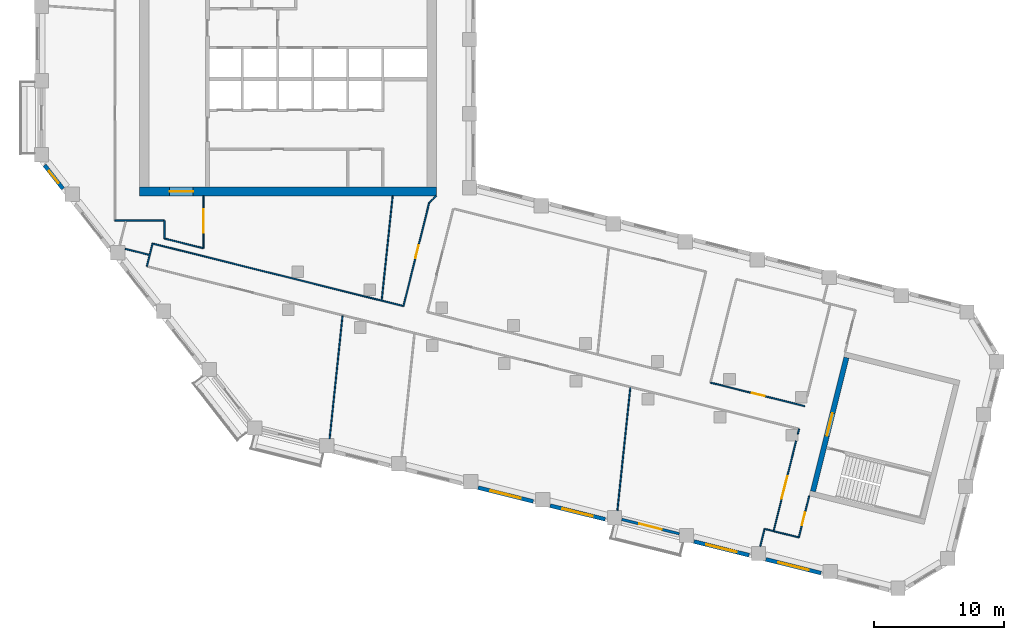
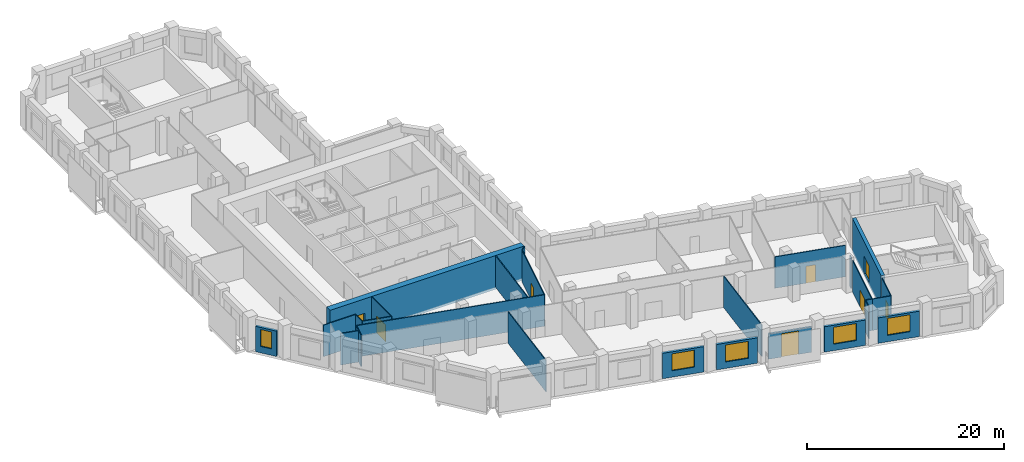
# One storey, part 3 of 10: 27 walls, 8 doors, 5 windows, 13 openings.
"""IFC4 building model written with IfcOpenShell, lengths in metres."""

from ifc_helpers import new_model, si_unit, direction, frame, frame_2d, origin, place, context, subcontext, project, spatial, rectangle, extrude, material, layer, layer_set, type_object, element, fill, save


model = new_model("IFC4")

# Units and contexts
model_context = context("Model", 3, precision=1e-05, world=origin(), true_north=direction((0.0, 1.0)))
body_context = subcontext(model_context, "Body", "Model", "MODEL_VIEW")
ifc_project = project(units=[si_unit("LENGTHUNIT", "METRE"), si_unit("AREAUNIT", "SQUARE_METRE"), si_unit("VOLUMEUNIT", "CUBIC_METRE"), si_unit("PLANEANGLEUNIT", "RADIAN"), si_unit("MASSUNIT", "GRAM", prefix="KILO")], contexts=[model_context])

# Site, building, storey
site_placement = place(None, origin())
site = spatial("IfcSite", under=ifc_project, at=site_placement, CompositionType="ELEMENT")
building_placement = place(site_placement, origin())
building = spatial("IfcBuilding", under=site, at=building_placement, Name="Meshkara Civic Tower", CompositionType="ELEMENT")
storey_placement = place(building_placement, frame((0.0, 0.0, 234.0)))
storey = spatial("IfcBuildingStorey", under=building, at=storey_placement, Name="L53", CompositionType="ELEMENT", Elevation=234.0)

# Wall, opening, door
ifc_material_1 = material(Name="Concrete C60", Category="concrete")
ifc_layer_1 = layer(ifc_material_1, 0.699951171875)
ifc_layer_set_1 = layer_set([ifc_layer_1], Name="Core ring wall 700 C60")
wall_type_1 = type_object("IfcWallType", Name="Core ring wall 700 C60", PredefinedType="SHEAR", material=ifc_layer_set_1)
wall_1_placement = place(storey_placement, frame((8.0, 14.449951171875, -0.300048828125), z_axis=(0.0, 0.0, 1.0), x_axis=(1.0, 0.0, 0.0)))
wall_1 = element("IfcWall", 1, at=wall_1_placement, inside=storey, type_object=wall_type_1, Name="L53-C001", PredefinedType="SHEAR", context=body_context, shape_type="SweptSolid", body=[
    extrude(rectangle(XDim=22.800048828125, YDim=0.699951171875, at=frame_2d((11.39990234375, 0.0))), origin(), (0.0, 0.0, 1.0), 4.199951171875),
])
opening_1_placement = place(wall_1_placement, frame((2.300048828125, 0.0, 0.300048828125)))
opening_1 = element("IfcOpeningElement", 2, at=opening_1_placement, cuts=wall_1, Name="Opening L53-K021", PredefinedType="OPENING", context=body_context, shape_type="SweptSolid", body=[
    extrude(rectangle(XDim=1.800048828125, YDim=2.10009765625, at=frame_2d((0.89990234375, 1.050048828125))), frame((0.0, 0.35986328125, 0.0), z_axis=(0.0, -1.0, 0.0), x_axis=(1.0, 0.0, 0.0)), (0.0, 0.0, 1.0), 0.719970703125),
])
ifc_material_2 = material(Name="Fire-rated door leaf in steel frame", Category="steel")
door_type_1 = type_object("IfcDoorType", Name="Core double door 1800 EI 60", OperationType="DOUBLE_DOOR_SINGLE_SWING", PredefinedType="DOOR", material=ifc_material_2)
door_1_placement = place(opening_1_placement, origin())
door_1 = element("IfcDoor", 3, at=door_1_placement, inside=storey, type_object=door_type_1, Name="L53-K021", OperationType="DOUBLE_DOOR_SINGLE_SWING", OverallHeight=2.10009765625, OverallWidth=1.800048828125, PredefinedType="DOOR", context=body_context, shape_type="SweptSolid", body=[
    extrude(rectangle(XDim=1.800048828125, YDim=2.10009765625, at=frame_2d((0.89990234375, 1.050048828125))), frame((0.0, 0.02490234375, 0.0), z_axis=(0.0, -1.0, 0.0), x_axis=(1.0, 0.0, 0.0)), (0.0, 0.0, 1.0), 0.050048828125),
])
fill(opening_1, door_1)

# Walls
ifc_material_3 = material(Name="Corridor wall 100")
ifc_layer_2 = layer(ifc_material_3, 0.10009765625)
ifc_layer_set_2 = layer_set([ifc_layer_2], Name="Corridor wall 100")
wall_type_2 = type_object("IfcWallType", Name="Corridor wall 100", PredefinedType="PARTITIONING", material=ifc_layer_set_2)
wall_2_placement = place(storey_placement, frame((6.10009765625, 12.199951171875, 0.0), z_axis=(0.0, 0.0, 1.0), x_axis=(1.0, 0.0, 0.0)))
element("IfcWall", 4, at=wall_2_placement, inside=storey, type_object=wall_type_2, Name="L53-W004", PredefinedType="PARTITIONING", context=body_context, shape_type="SweptSolid", body=[
    extrude(rectangle(XDim=3.7998046875, YDim=0.10009765625, at=frame_2d((1.89990234375, 0.0))), origin(), (0.0, 0.0, 1.0), 3.89990234375),
])
wall_3_placement = place(storey_placement, frame((8.988037109375, 10.43994140625, 0.0), z_axis=(0.0, 0.0, 1.0), x_axis=(0.970301223092, -0.241899848006, 0.0)))
element("IfcWall", 5, at=wall_3_placement, inside=storey, type_object=wall_type_2, Name="L53-W007", PredefinedType="PARTITIONING", context=body_context, shape_type="SweptSolid", body=[
    extrude(rectangle(XDim=19.87939453125, YDim=0.10009765625, at=frame_2d((9.939697265625, 0.0))), origin(), (0.0, 0.0, 1.0), 3.89990234375),
])
wall_4_placement = place(storey_placement, frame((8.988037109375, 10.43994140625, 0.0), z_axis=(0.0, 0.0, 1.0), x_axis=(-0.242154485745, -0.970237705428, 0.0)))
element("IfcWall", 6, at=wall_4_placement, inside=storey, type_object=wall_type_2, Name="L53-W008", PredefinedType="PARTITIONING", context=body_context, shape_type="SweptSolid", body=[
    extrude(rectangle(XDim=1.80859375, YDim=0.10009765625, at=frame_2d((0.904296875, 0.0))), origin(), (0.0, 0.0, 1.0), 3.89990234375),
])
wall_5_placement = place(storey_placement, frame((9.89990234375, 10.825927734375, 0.0), z_axis=(0.0, 0.0, 1.0), x_axis=(0.970290953223, -0.241941038466, 0.0)))
element("IfcWall", 7, at=wall_5_placement, inside=storey, type_object=wall_type_2, Name="L53-W009", PredefinedType="PARTITIONING", context=body_context, shape_type="SweptSolid", body=[
    extrude(rectangle(XDim=3.091796875, YDim=0.10009765625, at=frame_2d((1.5458984375, 0.0))), origin(), (0.0, 0.0, 1.0), 3.89990234375),
])
wall_6_placement = place(storey_placement, frame((9.89990234375, 12.199951171875, 0.0), z_axis=(0.0, 0.0, 1.0), x_axis=(0.0, -1.0, 0.0)))
element("IfcWall", 8, at=wall_6_placement, inside=storey, type_object=wall_type_2, Name="L53-W010", PredefinedType="PARTITIONING", context=body_context, shape_type="SweptSolid", body=[
    extrude(rectangle(XDim=1.3740234375, YDim=0.10009765625, at=frame_2d((0.68701171875, 0.0))), origin(), (0.0, 0.0, 1.0), 3.89990234375),
])

# Wall, opening, door
wall_7_placement = place(storey_placement, frame((12.89990234375, 10.077880859375, 0.0), z_axis=(0.0, 0.0, 1.0), x_axis=(0.0, 1.0, 0.0)))
wall_7 = element("IfcWall", 9, at=wall_7_placement, inside=storey, type_object=wall_type_2, Name="L53-W014", PredefinedType="PARTITIONING", context=body_context, shape_type="SweptSolid", body=[
    extrude(rectangle(XDim=4.022216796875, YDim=0.10009765625, at=frame_2d((2.01123046875, 0.0))), origin(), (0.0, 0.0, 1.0), 3.89990234375),
])
opening_2_placement = place(wall_7_placement, frame((1.179931640625, 0.0, 0.0)))
opening_2 = element("IfcOpeningElement", 10, at=opening_2_placement, cuts=wall_7, Name="Opening L53-D012", PredefinedType="OPENING", context=body_context, shape_type="SweptSolid", body=[
    extrude(rectangle(XDim=1.800048828125, YDim=2.10009765625, at=frame_2d((0.89990234375, 1.050048828125))), frame((0.0, 0.06005859375, 0.0), z_axis=(0.0, -1.0, 0.0), x_axis=(1.0, 0.0, 0.0)), (0.0, 0.0, 1.0), 0.1201171875),
])
ifc_material_4 = material(Name="Door pair 1800 x 2100")
door_type_2 = type_object("IfcDoorType", Name="Door pair 1800 x 2100", OperationType="SINGLE_SWING_LEFT", PredefinedType="DOOR", material=ifc_material_4)
door_2_placement = place(opening_2_placement, origin())
door_2 = element("IfcDoor", 11, at=door_2_placement, inside=storey, type_object=door_type_2, Name="L53-D012", OperationType="DOUBLE_DOOR_SINGLE_SWING", OverallHeight=2.10009765625, OverallWidth=1.800048828125, PredefinedType="DOOR", context=body_context, shape_type="SweptSolid", body=[
    extrude(rectangle(XDim=1.800048828125, YDim=2.10009765625, at=frame_2d((0.89990234375, 1.050048828125))), frame((0.0, 0.02490234375, 0.0), z_axis=(0.0, -1.0, 0.0), x_axis=(1.0, 0.0, 0.0)), (0.0, 0.0, 1.0), 0.050048828125),
])
fill(opening_2, door_2)

wall_8_placement = place(storey_placement, frame((30.259033203125, 13.5830078125, 0.0), z_axis=(0.0, 0.0, 1.0), x_axis=(-0.241841612879, -0.970315739479, 0.0)))
wall_8 = element("IfcWall", 12, at=wall_8_placement, inside=storey, type_object=wall_type_2, Name="L53-W023", PredefinedType="PARTITIONING", context=body_context, shape_type="SweptSolid", body=[
    extrude(rectangle(XDim=8.195068359375, YDim=0.10009765625, at=frame_2d((4.09765625, 0.0))), origin(), (0.0, 0.0, 1.0), 3.89990234375),
])
opening_3_placement = place(wall_8_placement, frame((3.3798828125, 0.0, 0.0)))
opening_3 = element("IfcOpeningElement", 13, at=opening_3_placement, cuts=wall_8, Name="Opening L53-D009", PredefinedType="OPENING", context=body_context, shape_type="SweptSolid", body=[
    extrude(rectangle(XDim=1.0, YDim=2.10009765625, at=frame_2d((0.5, 1.050048828125))), frame((0.0, 0.06005859375, 0.0), z_axis=(0.0, -1.0, 0.0), x_axis=(1.0, 0.0, 0.0)), (0.0, 0.0, 1.0), 0.1201171875),
])
ifc_material_5 = material(Name="Door 1000 x 2100")
door_type_3 = type_object("IfcDoorType", Name="Door 1000 x 2100", OperationType="SINGLE_SWING_LEFT", PredefinedType="DOOR", material=ifc_material_5)
door_3_placement = place(opening_3_placement, origin())
door_3 = element("IfcDoor", 14, at=door_3_placement, inside=storey, type_object=door_type_3, Name="L53-D009", OperationType="SINGLE_SWING_RIGHT", OverallHeight=2.10009765625, OverallWidth=1.0, PredefinedType="DOOR", context=body_context, shape_type="SweptSolid", body=[
    extrude(rectangle(XDim=1.0, YDim=2.10009765625, at=frame_2d((0.5, 1.050048828125))), frame((0.0, 0.02490234375, 0.0), z_axis=(0.0, -1.0, 0.0), x_axis=(1.0, 0.0, 0.0)), (0.0, 0.0, 1.0), 0.050048828125),
])
fill(opening_3, door_3)

# Walls
wall_9_placement = place(storey_placement, frame((30.800048828125, 14.10009765625, 0.0), z_axis=(0.0, 0.0, 1.0), x_axis=(-0.722911025189, -0.690941133281, 0.0)))
element("IfcWall", 15, at=wall_9_placement, inside=storey, type_object=wall_type_2, Name="L53-W024", PredefinedType="PARTITIONING", context=body_context, shape_type="SweptSolid", body=[
    extrude(rectangle(XDim=0.748291015625, YDim=0.10009765625, at=frame_2d((0.3740234375, 0.0))), origin(), (0.0, 0.0, 1.0), 3.89990234375),
])
wall_10_placement = place(storey_placement, frame((56.73193359375, -11.6708984375, 0.0), z_axis=(0.0, 0.0, 1.0), x_axis=(0.970250131019, -0.242104694829, 0.0)))
element("IfcWall", 16, at=wall_10_placement, inside=storey, type_object=wall_type_2, Name="L53-W030", PredefinedType="PARTITIONING", context=body_context, shape_type="SweptSolid", body=[
    extrude(rectangle(XDim=1.999755859375, YDim=0.10009765625, at=frame_2d((1.0, 0.0))), origin(), (0.0, 0.0, 1.0), 3.89990234375),
])

# Wall, opening, door
wall_11_placement = place(storey_placement, frame((58.458984375, -4.741943359375, 0.0), z_axis=(0.0, 0.0, 1.0), x_axis=(-0.24185178818, -0.970313203329, 0.0)))
wall_11 = element("IfcWall", 17, at=wall_11_placement, inside=storey, type_object=wall_type_2, Name="L53-W031", PredefinedType="PARTITIONING", context=body_context, shape_type="SweptSolid", body=[
    extrude(rectangle(XDim=7.140869140625, YDim=0.10009765625, at=frame_2d((3.5703125, 0.0))), origin(), (0.0, 0.0, 1.0), 3.89990234375),
])
opening_4_placement = place(wall_11_placement, frame((2.780029296875, 0.0, 0.0)))
opening_4 = element("IfcOpeningElement", 18, at=opening_4_placement, cuts=wall_11, Name="Opening L53-D001", PredefinedType="OPENING", context=body_context, shape_type="SweptSolid", body=[
    extrude(rectangle(XDim=1.800048828125, YDim=2.10009765625, at=frame_2d((0.89990234375, 1.050048828125))), frame((0.0, 0.06005859375, 0.0), z_axis=(0.0, -1.0, 0.0), x_axis=(1.0, 0.0, 0.0)), (0.0, 0.0, 1.0), 0.1201171875),
])
door_4_placement = place(opening_4_placement, origin())
door_4 = element("IfcDoor", 19, at=door_4_placement, inside=storey, type_object=door_type_2, Name="L53-D001", OperationType="DOUBLE_DOOR_SINGLE_SWING", OverallHeight=2.10009765625, OverallWidth=1.800048828125, PredefinedType="DOOR", context=body_context, shape_type="SweptSolid", body=[
    extrude(rectangle(XDim=1.800048828125, YDim=2.10009765625, at=frame_2d((0.89990234375, 1.050048828125))), frame((0.0, 0.02490234375, 0.0), z_axis=(0.0, -1.0, 0.0), x_axis=(1.0, 0.0, 0.0)), (0.0, 0.0, 1.0), 0.050048828125),
])
fill(opening_4, door_4)

wall_12_placement = place(storey_placement, frame((58.672119140625, -12.155029296875, 0.0), z_axis=(0.0, 0.0, 1.0), x_axis=(0.242048225647, 0.970264219922, 0.0)))
wall_12 = element("IfcWall", 20, at=wall_12_placement, inside=storey, type_object=wall_type_2, Name="L53-W032", PredefinedType="PARTITIONING", context=body_context, shape_type="SweptSolid", body=[
    extrude(rectangle(XDim=3.30029296875, YDim=0.10009765625, at=frame_2d((1.650146484375, 0.0))), origin(), (0.0, 0.0, 1.0), 3.89990234375),
])
opening_5_placement = place(wall_12_placement, frame((0.97998046875, 0.0, 0.0)))
opening_5 = element("IfcOpeningElement", 21, at=opening_5_placement, cuts=wall_12, Name="Opening L53-D002", PredefinedType="OPENING", context=body_context, shape_type="SweptSolid", body=[
    extrude(rectangle(XDim=1.0, YDim=2.10009765625, at=frame_2d((0.5, 1.050048828125))), frame((0.0, 0.06005859375, 0.0), z_axis=(0.0, -1.0, 0.0), x_axis=(1.0, 0.0, 0.0)), (0.0, 0.0, 1.0), 0.1201171875),
])
door_5_placement = place(opening_5_placement, origin())
door_5 = element("IfcDoor", 22, at=door_5_placement, inside=storey, type_object=door_type_3, Name="L53-D002", OperationType="SINGLE_SWING_RIGHT", OverallHeight=2.10009765625, OverallWidth=1.0, PredefinedType="DOOR", context=body_context, shape_type="SweptSolid", body=[
    extrude(rectangle(XDim=1.0, YDim=2.10009765625, at=frame_2d((0.5, 1.050048828125))), frame((0.0, 0.02490234375, 0.0), z_axis=(0.0, -1.0, 0.0), x_axis=(1.0, 0.0, 0.0)), (0.0, 0.0, 1.0), 0.050048828125),
])
fill(opening_5, door_5)

# Wall
wall_13_placement = place(storey_placement, frame((58.68994140625, -3.81591796875, 0.0), z_axis=(0.0, 0.0, 1.0), x_axis=(-0.241572107215, -0.970382871353, 0.0)))
element("IfcWall", 23, at=wall_13_placement, inside=storey, type_object=wall_type_2, Name="L53-W033", PredefinedType="PARTITIONING", context=body_context, shape_type="SweptSolid", body=[
    extrude(rectangle(XDim=0.41748046875, YDim=0.10009765625, at=frame_2d((0.208740234375, 0.0))), origin(), (0.0, 0.0, 1.0), 3.89990234375),
])

# Wall, opening, door
wall_14_placement = place(storey_placement, frame((59.1279296875, -2.06103515625, 0.0), z_axis=(0.0, 0.0, 1.0), x_axis=(-0.970296107939, 0.241920364826, 0.0)))
wall_14 = element("IfcWall", 24, at=wall_14_placement, inside=storey, type_object=wall_type_2, Name="L53-W034", PredefinedType="PARTITIONING", context=body_context, shape_type="SweptSolid", body=[
    extrude(rectangle(XDim=7.469970703125, YDim=0.10009765625, at=frame_2d((3.73486328125, 0.0))), origin(), (0.0, 0.0, 1.0), 3.89990234375),
])
opening_6_placement = place(wall_14_placement, frame((3.179931640625, 0.0, 0.0)))
opening_6 = element("IfcOpeningElement", 25, at=opening_6_placement, cuts=wall_14, Name="Opening L53-D003", PredefinedType="OPENING", context=body_context, shape_type="SweptSolid", body=[
    extrude(rectangle(XDim=1.0, YDim=2.10009765625, at=frame_2d((0.5, 1.050048828125))), frame((0.0, 0.06005859375, 0.0), z_axis=(0.0, -1.0, 0.0), x_axis=(1.0, 0.0, 0.0)), (0.0, 0.0, 1.0), 0.1201171875),
])
door_6_placement = place(opening_6_placement, origin())
door_6 = element("IfcDoor", 26, at=door_6_placement, inside=storey, type_object=door_type_3, Name="L53-D003", OperationType="SINGLE_SWING_RIGHT", OverallHeight=2.10009765625, OverallWidth=1.0, PredefinedType="DOOR", context=body_context, shape_type="SweptSolid", body=[
    extrude(rectangle(XDim=1.0, YDim=2.10009765625, at=frame_2d((0.5, 1.050048828125))), frame((0.0, 0.02490234375, 0.0), z_axis=(0.0, -1.0, 0.0), x_axis=(1.0, 0.0, 0.0)), (0.0, 0.0, 1.0), 0.050048828125),
])
fill(opening_6, door_6)

# Wall, opening, window
ifc_material_6 = material(Name="Insulated infill panel with bronze anodised aluminium cladding", Category="aluminium")
ifc_layer_3 = layer(ifc_material_6, 0.300048828125)
ifc_layer_set_3 = layer_set([ifc_layer_3], Name="EXTERNAL INFILL WALL 300")
wall_type_3 = type_object("IfcWallType", Name="EXTERNAL INFILL WALL 300", PredefinedType="SOLIDWALL", material=ifc_layer_set_3)
wall_15_placement = place(storey_placement, frame((0.68896484375, 16.4619140625, 0.0), z_axis=(0.0, 0.0, 1.0), x_axis=(0.615625465473, -0.788038886262, 0.0)))
wall_15 = element("IfcWall", 27, at=wall_15_placement, inside=storey, type_object=wall_type_3, Name="External wall", PredefinedType="SOLIDWALL", context=body_context, shape_type="SweptSolid", body=[
    extrude(rectangle(XDim=2.29541015625, YDim=0.300048828125, at=frame_2d((1.147705078125, 0.0))), origin(), (0.0, 0.0, 1.0), 3.14990234375),
])
opening_7_placement = place(wall_15_placement, frame((0.548095703125, 0.0, 0.800048828125)))
opening_7 = element("IfcOpeningElement", 28, at=opening_7_placement, cuts=wall_15, Name="Opening W3", PredefinedType="OPENING", context=body_context, shape_type="SweptSolid", body=[
    extrude(rectangle(XDim=1.199951171875, YDim=2.10009765625, at=frame_2d((0.60009765625, 1.050048828125))), frame((0.0, 0.159912109375, 0.0), z_axis=(0.0, -1.0, 0.0), x_axis=(1.0, 0.0, 0.0)), (0.0, 0.0, 1.0), 0.320068359375),
])
ifc_material_7 = material(Name="Tinted double glazing", Category="glass")
window_type_1 = type_object("IfcWindowType", Name="WINDOW 1200x2100", PartitioningType="SINGLE_PANEL", PredefinedType="WINDOW", material=ifc_material_7)
window_1_placement = place(opening_7_placement, origin())
window_1 = element("IfcWindow", 29, at=window_1_placement, inside=storey, type_object=window_type_1, Name="Window", OverallHeight=2.10009765625, OverallWidth=1.199951171875, PartitioningType="SINGLE_PANEL", PredefinedType="WINDOW", context=body_context, shape_type="SweptSolid", body=[
    extrude(rectangle(XDim=1.199951171875, YDim=2.10009765625, at=frame_2d((0.60009765625, 1.050048828125))), frame((0.0, 0.030029296875, 0.0), z_axis=(0.0, -1.0, 0.0), x_axis=(1.0, 0.0, 0.0)), (0.0, 0.0, 1.0), 0.06005859375),
])
fill(opening_7, window_1)

wall_16_placement = place(storey_placement, frame((34.01708984375, -8.326904296875, 0.0), z_axis=(0.0, 0.0, 1.0), x_axis=(0.970306725873, -0.241877774353, 0.0)))
wall_16 = element("IfcWall", 30, at=wall_16_placement, inside=storey, type_object=wall_type_3, Name="External wall", PredefinedType="SOLIDWALL", context=body_context, shape_type="SweptSolid", body=[
    extrude(rectangle(XDim=4.366455078125, YDim=0.300048828125, at=frame_2d((2.18310546875, 0.0))), origin(), (0.0, 0.0, 1.0), 3.14990234375),
])
opening_8_placement = place(wall_16_placement, frame((0.98291015625, 0.0, 0.800048828125)))
opening_8 = element("IfcOpeningElement", 31, at=opening_8_placement, cuts=wall_16, Name="Opening W7", PredefinedType="OPENING", context=body_context, shape_type="SweptSolid", body=[
    extrude(rectangle(XDim=2.39990234375, YDim=2.10009765625, at=frame_2d((1.199951171875, 1.050048828125))), frame((0.0, 0.159912109375, 0.0), z_axis=(0.0, -1.0, 0.0), x_axis=(1.0, 0.0, 0.0)), (0.0, 0.0, 1.0), 0.320068359375),
])
ifc_material_8 = material(Name="Tinted double glazing", Category="glass")
window_type_2 = type_object("IfcWindowType", Name="WINDOW 2400x2100", PartitioningType="DOUBLE_PANEL_VERTICAL", PredefinedType="WINDOW", material=ifc_material_8)
window_2_placement = place(opening_8_placement, origin())
window_2 = element("IfcWindow", 32, at=window_2_placement, inside=storey, type_object=window_type_2, Name="Window", OverallHeight=2.10009765625, OverallWidth=2.39990234375, PartitioningType="DOUBLE_PANEL_VERTICAL", PredefinedType="WINDOW", context=body_context, shape_type="SweptSolid", body=[
    extrude(rectangle(XDim=2.39990234375, YDim=2.10009765625, at=frame_2d((1.199951171875, 1.050048828125))), frame((0.0, 0.030029296875, 0.0), z_axis=(0.0, -1.0, 0.0), x_axis=(1.0, 0.0, 0.0)), (0.0, 0.0, 1.0), 0.06005859375),
])
fill(opening_8, window_2)

wall_17_placement = place(storey_placement, frame((39.548095703125, -9.7060546875, 0.0), z_axis=(0.0, 0.0, 1.0), x_axis=(0.970319847058, -0.241825131873, 0.0)))
wall_17 = element("IfcWall", 33, at=wall_17_placement, inside=storey, type_object=wall_type_3, Name="External wall", PredefinedType="SOLIDWALL", context=body_context, shape_type="SweptSolid", body=[
    extrude(rectangle(XDim=4.366455078125, YDim=0.300048828125, at=frame_2d((2.18310546875, 0.0))), origin(), (0.0, 0.0, 1.0), 3.14990234375),
])
opening_9_placement = place(wall_17_placement, frame((0.98291015625, 0.0, 0.800048828125)))
opening_9 = element("IfcOpeningElement", 34, at=opening_9_placement, cuts=wall_17, Name="Opening W7", PredefinedType="OPENING", context=body_context, shape_type="SweptSolid", body=[
    extrude(rectangle(XDim=2.39990234375, YDim=2.10009765625, at=frame_2d((1.199951171875, 1.050048828125))), frame((0.0, 0.159912109375, 0.0), z_axis=(0.0, -1.0, 0.0), x_axis=(1.0, 0.0, 0.0)), (0.0, 0.0, 1.0), 0.320068359375),
])
window_3_placement = place(opening_9_placement, origin())
window_3 = element("IfcWindow", 35, at=window_3_placement, inside=storey, type_object=window_type_2, Name="Window", OverallHeight=2.10009765625, OverallWidth=2.39990234375, PartitioningType="DOUBLE_PANEL_VERTICAL", PredefinedType="WINDOW", context=body_context, shape_type="SweptSolid", body=[
    extrude(rectangle(XDim=2.39990234375, YDim=2.10009765625, at=frame_2d((1.199951171875, 1.050048828125))), frame((0.0, 0.030029296875, 0.0), z_axis=(0.0, -1.0, 0.0), x_axis=(1.0, 0.0, 0.0)), (0.0, 0.0, 1.0), 0.06005859375),
])
fill(opening_9, window_3)

wall_18_placement = place(storey_placement, frame((50.60888671875, -12.462890625, 0.0), z_axis=(0.0, 0.0, 1.0), x_axis=(0.970257492536, -0.242075191166, 0.0)))
wall_18 = element("IfcWall", 36, at=wall_18_placement, inside=storey, type_object=wall_type_3, Name="External wall", PredefinedType="SOLIDWALL", context=body_context, shape_type="SweptSolid", body=[
    extrude(rectangle(XDim=4.366943359375, YDim=0.300048828125, at=frame_2d((2.18359375, 0.0))), origin(), (0.0, 0.0, 1.0), 3.14990234375),
])
opening_10_placement = place(wall_18_placement, frame((0.98291015625, 0.0, 0.800048828125)))
opening_10 = element("IfcOpeningElement", 37, at=opening_10_placement, cuts=wall_18, Name="Opening W7", PredefinedType="OPENING", context=body_context, shape_type="SweptSolid", body=[
    extrude(rectangle(XDim=2.39990234375, YDim=2.10009765625, at=frame_2d((1.199951171875, 1.050048828125))), frame((0.0, 0.159912109375, 0.0), z_axis=(0.0, -1.0, 0.0), x_axis=(1.0, 0.0, 0.0)), (0.0, 0.0, 1.0), 0.320068359375),
])
window_4_placement = place(opening_10_placement, origin())
window_4 = element("IfcWindow", 38, at=window_4_placement, inside=storey, type_object=window_type_2, Name="Window", OverallHeight=2.10009765625, OverallWidth=2.39990234375, PartitioningType="DOUBLE_PANEL_VERTICAL", PredefinedType="WINDOW", context=body_context, shape_type="SweptSolid", body=[
    extrude(rectangle(XDim=2.39990234375, YDim=2.10009765625, at=frame_2d((1.199951171875, 1.050048828125))), frame((0.0, 0.030029296875, 0.0), z_axis=(0.0, -1.0, 0.0), x_axis=(1.0, 0.0, 0.0)), (0.0, 0.0, 1.0), 0.06005859375),
])
fill(opening_10, window_4)

wall_19_placement = place(storey_placement, frame((56.139892578125, -13.842041015625, 0.0), z_axis=(0.0, 0.0, 1.0), x_axis=(0.970270622343, -0.24202255973, 0.0)))
wall_19 = element("IfcWall", 39, at=wall_19_placement, inside=storey, type_object=wall_type_3, Name="External wall", PredefinedType="SOLIDWALL", context=body_context, shape_type="SweptSolid", body=[
    extrude(rectangle(XDim=4.366943359375, YDim=0.300048828125, at=frame_2d((2.18359375, 0.0))), origin(), (0.0, 0.0, 1.0), 3.14990234375),
])
opening_11_placement = place(wall_19_placement, frame((0.98291015625, 0.0, 0.800048828125)))
opening_11 = element("IfcOpeningElement", 40, at=opening_11_placement, cuts=wall_19, Name="Opening W7", PredefinedType="OPENING", context=body_context, shape_type="SweptSolid", body=[
    extrude(rectangle(XDim=2.39990234375, YDim=2.10009765625, at=frame_2d((1.199951171875, 1.050048828125))), frame((0.0, 0.159912109375, 0.0), z_axis=(0.0, -1.0, 0.0), x_axis=(1.0, 0.0, 0.0)), (0.0, 0.0, 1.0), 0.320068359375),
])
window_5_placement = place(opening_11_placement, origin())
window_5 = element("IfcWindow", 41, at=window_5_placement, inside=storey, type_object=window_type_2, Name="Window", OverallHeight=2.10009765625, OverallWidth=2.39990234375, PartitioningType="DOUBLE_PANEL_VERTICAL", PredefinedType="WINDOW", context=body_context, shape_type="SweptSolid", body=[
    extrude(rectangle(XDim=2.39990234375, YDim=2.10009765625, at=frame_2d((1.199951171875, 1.050048828125))), frame((0.0, 0.030029296875, 0.0), z_axis=(0.0, -1.0, 0.0), x_axis=(1.0, 0.0, 0.0)), (0.0, 0.0, 1.0), 0.06005859375),
])
fill(opening_11, window_5)

# Wall, opening, door
ifc_material_9 = material(Name="Concrete C60", Category="concrete")
ifc_layer_4 = layer(ifc_material_9, 0.39990234375)
ifc_layer_set_4 = layer_set([ifc_layer_4], Name="End core ring wall 400 C60")
wall_type_4 = type_object("IfcWallType", Name="End core ring wall 400 C60", PredefinedType="SHEAR", material=ifc_layer_set_4)
wall_20_placement = place(storey_placement, frame((59.760986328125, -8.613037109375, -0.300048828125), z_axis=(0.0, 0.0, 1.0), x_axis=(0.241971982666, 0.970283236795, 0.0)))
wall_20 = element("IfcWall", 42, at=wall_20_placement, inside=storey, type_object=wall_type_4, Name="L53-C030", PredefinedType="SHEAR", context=body_context, shape_type="SweptSolid", body=[
    extrude(rectangle(XDim=10.60009765625, YDim=0.39990234375, at=frame_2d((5.300048828125, 0.0))), origin(), (0.0, 0.0, 1.0), 4.199951171875),
])
opening_12_placement = place(wall_20_placement, frame((4.39990234375, 0.0, 0.300048828125)))
opening_12 = element("IfcOpeningElement", 43, at=opening_12_placement, cuts=wall_20, Name="Opening L53-K202", PredefinedType="OPENING", context=body_context, shape_type="SweptSolid", body=[
    extrude(rectangle(XDim=1.800048828125, YDim=2.10009765625, at=frame_2d((0.89990234375, 1.050048828125))), frame((0.0, 0.2099609375, 0.0), z_axis=(0.0, -1.0, 0.0), x_axis=(1.0, 0.0, 0.0)), (0.0, 0.0, 1.0), 0.419921875),
])
door_7_placement = place(opening_12_placement, origin())
door_7 = element("IfcDoor", 44, at=door_7_placement, inside=storey, type_object=door_type_1, Name="L53-K202", OperationType="DOUBLE_DOOR_SINGLE_SWING", OverallHeight=2.10009765625, OverallWidth=1.800048828125, PredefinedType="DOOR", context=body_context, shape_type="SweptSolid", body=[
    extrude(rectangle(XDim=1.800048828125, YDim=2.10009765625, at=frame_2d((0.89990234375, 1.050048828125))), frame((0.0, 0.02490234375, 0.0), z_axis=(0.0, -1.0, 0.0), x_axis=(1.0, 0.0, 0.0)), (0.0, 0.0, 1.0), 0.050048828125),
])
fill(opening_12, door_7)

ifc_material_10 = material(Name="Insulated infill panel with bronze anodised aluminium cladding", Category="aluminium")
ifc_layer_5 = layer(ifc_material_10, 0.199951171875)
ifc_layer_set_5 = layer_set([ifc_layer_5], Name="LOGGIA BACK WALL 200")
wall_type_5 = type_object("IfcWallType", Name="LOGGIA BACK WALL 200", PredefinedType="SOLIDWALL", material=ifc_layer_set_5)
wall_21_placement = place(storey_placement, frame((45.054931640625, -10.77001953125, 0.0), z_axis=(0.0, 0.0, 1.0), x_axis=(0.970324663654, -0.241805804532, 0.0)))
wall_21 = element("IfcWall", 45, at=wall_21_placement, inside=storey, type_object=wall_type_5, Name="Loggia wall", PredefinedType="SOLIDWALL", context=body_context, shape_type="SweptSolid", body=[
    extrude(rectangle(XDim=4.565673828125, YDim=0.199951171875, at=frame_2d((2.28271484375, 0.0))), origin(), (0.0, 0.0, 1.0), 3.14990234375),
])
opening_13_placement = place(wall_21_placement, frame((1.382080078125, 0.0, 0.0)))
opening_13 = element("IfcOpeningElement", 46, at=opening_13_placement, cuts=wall_21, Name="Opening L53-L005", PredefinedType="OPENING", context=body_context, shape_type="SweptSolid", body=[
    extrude(rectangle(XDim=1.800048828125, YDim=2.89990234375, at=frame_2d((0.89990234375, 1.449951171875))), frame((0.0, 0.10986328125, 0.0), z_axis=(0.0, -1.0, 0.0), x_axis=(1.0, 0.0, 0.0)), (0.0, 0.0, 1.0), 0.219970703125),
])
ifc_material_11 = material(Name="Tinted double glazing", Category="glass")
door_type_4 = type_object("IfcDoorType", Name="LOGGIA DOOR 1800x2900", OperationType="DOUBLE_DOOR_SINGLE_SWING", PredefinedType="DOOR", material=ifc_material_11)
door_8_placement = place(opening_13_placement, origin())
door_8 = element("IfcDoor", 47, at=door_8_placement, inside=storey, type_object=door_type_4, Name="L53-L005", OperationType="DOUBLE_DOOR_SINGLE_SWING", OverallHeight=2.89990234375, OverallWidth=1.800048828125, PredefinedType="DOOR", context=body_context, shape_type="SweptSolid", body=[
    extrude(rectangle(XDim=1.800048828125, YDim=2.89990234375, at=frame_2d((0.89990234375, 1.449951171875))), frame((0.0, 0.02490234375, 0.0), z_axis=(0.0, -1.0, 0.0), x_axis=(1.0, 0.0, 0.0)), (0.0, 0.0, 1.0), 0.050048828125),
])
fill(opening_13, door_8)

# Walls
ifc_material_12 = material(Name="Partition 100")
ifc_layer_6 = layer(ifc_material_12, 0.10009765625)
ifc_layer_set_6 = layer_set([ifc_layer_6], Name="Partition 100")
wall_type_6 = type_object("IfcWallType", Name="Partition 100", PredefinedType="PARTITIONING", material=ifc_layer_set_6)
wall_22_placement = place(storey_placement, frame((8.719970703125, 9.573974609375, 0.0), z_axis=(0.0, 0.0, 1.0), x_axis=(-0.970240497311, 0.242143299263, 0.0)))
element("IfcWall", 48, at=wall_22_placement, inside=storey, type_object=wall_type_6, Name="L53-W046", PredefinedType="PARTITIONING", context=body_context, shape_type="SweptSolid", body=[
    extrude(rectangle(XDim=1.903564453125, YDim=0.10009765625, at=frame_2d((0.95166015625, 0.0))), origin(), (0.0, 0.0, 1.0), 3.89990234375),
])
wall_23_placement = place(storey_placement, frame((22.60107421875, -4.56689453125, 0.0), z_axis=(0.0, 0.0, 1.0), x_axis=(0.104573690763, 0.994517140727, 0.0)))
element("IfcWall", 49, at=wall_23_placement, inside=storey, type_object=wall_type_6, Name="L53-W049", PredefinedType="PARTITIONING", context=body_context, shape_type="SweptSolid", body=[
    extrude(rectangle(XDim=9.494873046875, YDim=0.10009765625, at=frame_2d((4.74755859375, 0.0))), origin(), (0.0, 0.0, 1.0), 3.89990234375),
])
wall_24_placement = place(storey_placement, frame((26.60791015625, 6.10498046875, 0.0), z_axis=(0.0, 0.0, 1.0), x_axis=(0.104619970127, 0.994512273353, 0.0)))
element("IfcWall", 50, at=wall_24_placement, inside=storey, type_object=wall_type_6, Name="L53-W050", PredefinedType="PARTITIONING", context=body_context, shape_type="SweptSolid", body=[
    extrude(rectangle(XDim=8.039306640625, YDim=0.10009765625, at=frame_2d((4.01953125, 0.0))), origin(), (0.0, 0.0, 1.0), 3.89990234375),
])
wall_25_placement = place(storey_placement, frame((44.72412109375, -10.08203125, 0.0), z_axis=(0.0, 0.0, 1.0), x_axis=(0.104479978306, 0.994526990148, 0.0)))
element("IfcWall", 51, at=wall_25_placement, inside=storey, type_object=wall_type_6, Name="L53-W053", PredefinedType="PARTITIONING", context=body_context, shape_type="SweptSolid", body=[
    extrude(rectangle(XDim=9.494140625, YDim=0.10009765625, at=frame_2d((4.7470703125, 0.0))), origin(), (0.0, 0.0, 1.0), 3.89990234375),
])
wall_26_placement = place(storey_placement, frame((55.702880859375, -12.840087890625, 0.0), z_axis=(0.0, 0.0, 1.0), x_axis=(0.242327978011, 0.970194388292, 0.0)))
element("IfcWall", 52, at=wall_26_placement, inside=storey, type_object=wall_type_6, Name="L53-W054", PredefinedType="PARTITIONING", context=body_context, shape_type="SweptSolid", body=[
    extrude(rectangle(XDim=1.38330078125, YDim=0.10009765625, at=frame_2d((0.691650390625, 0.0))), origin(), (0.0, 0.0, 1.0), 3.89990234375),
])
wall_27_placement = place(storey_placement, frame((56.0380859375, -11.498046875, 0.0), z_axis=(0.0, 0.0, 1.0), x_axis=(0.970282083048, -0.241976609029, 0.0)))
element("IfcWall", 53, at=wall_27_placement, inside=storey, type_object=wall_type_6, Name="L53-W055", PredefinedType="PARTITIONING", context=body_context, shape_type="SweptSolid", body=[
    extrude(rectangle(XDim=0.719482421875, YDim=0.10009765625, at=frame_2d((0.35986328125, 0.0))), origin(), (0.0, 0.0, 1.0), 3.89990234375),
])

save(model, "model.ifc")
